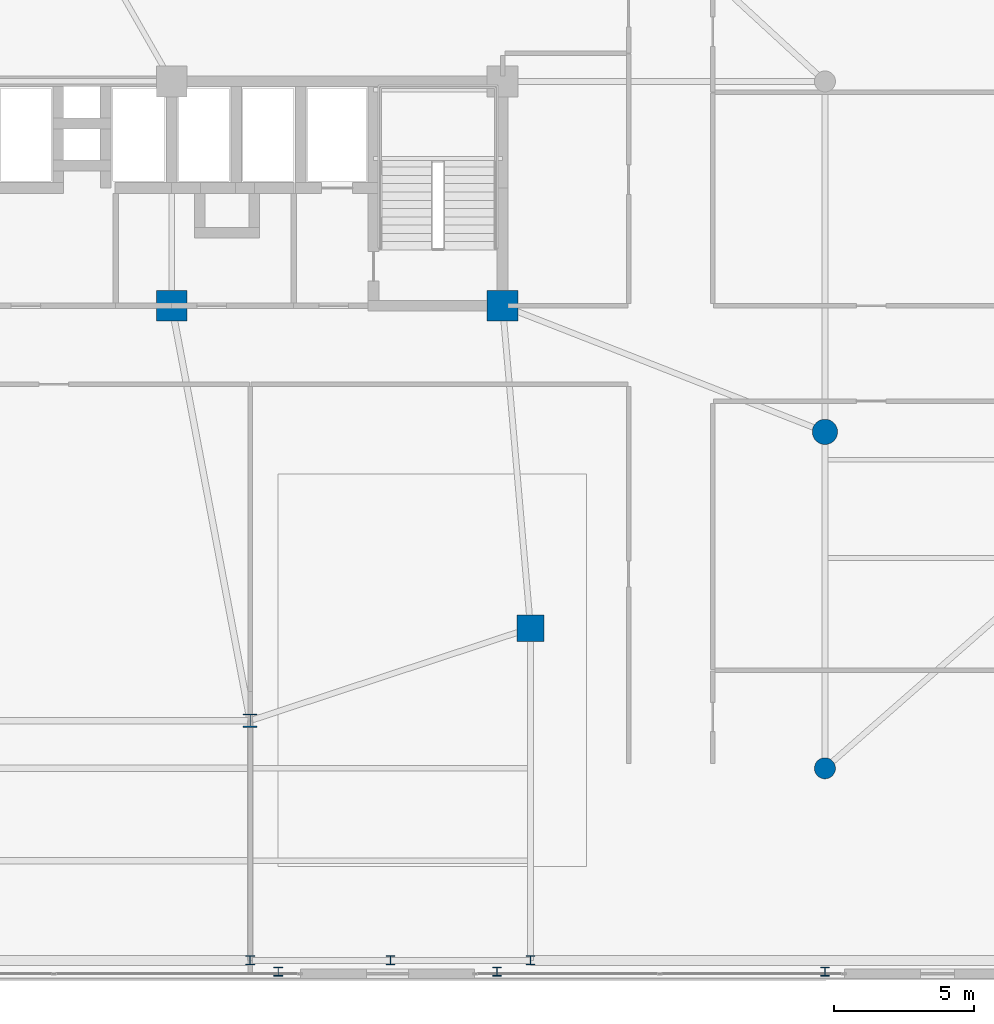
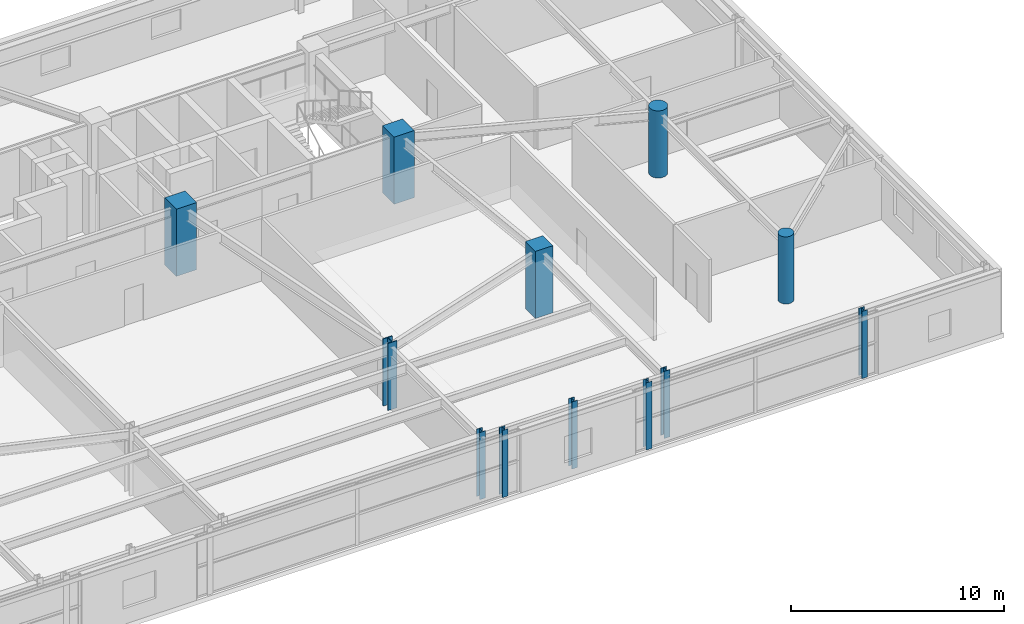
# One storey, part 3 of 26: 12 columns.
"""IFC4 building model written with IfcOpenShell, lengths in metres."""

import ifcopenshell
import ifcopenshell.guid

model = None  # the IFC model being written
_history = None  # IfcOwnerHistory: only IFC2X3 demands one
_inside = {}  # id of a spatial element -> (the spatial element, [elements in it])
_under = {}  # id of a project, library or spatial element -> (it, [spatial elements below it])
_declared = {}  # id of a project -> (the project, [libraries it declares])
_typed = {}  # id of a type object -> (the type object, [elements of that type])
_made_of = {}  # id of a material, layer set ... -> (it, [elements and type objects made of it])


def new_model(schema):
    """Start an empty IFC model of exactly this schema.

    Asked for "IFC4X3", IfcOpenShell would pick the latest addendum, in which some entities
    have other attributes; the version numbers below select the first issue.
    IFC2X3 requires an IfcOwnerHistory on every rooted entity: one is made here for all.
    """
    global model, _history
    if schema == "IFC4X3":
        model = ifcopenshell.file(schema_version=(4, 3, 0, 0))
    else:
        model = ifcopenshell.file(schema=schema)
    _inside.clear()
    _under.clear()
    _declared.clear()
    _typed.clear()
    _made_of.clear()
    _history = None
    if model.schema == "IFC2X3":
        org = make("IfcOrganization", Name="unknown")
        user = make(
            "IfcPersonAndOrganization",
            ThePerson=make("IfcPerson", FamilyName="unknown"),
            TheOrganization=org,
        )
        app = make(
            "IfcApplication",
            ApplicationDeveloper=org,
            Version="unknown",
            ApplicationFullName="unknown",
            ApplicationIdentifier="unknown",
        )
        _history = make(
            "IfcOwnerHistory",
            OwningUser=user,
            OwningApplication=app,
            ChangeAction="ADDED",
            CreationDate=0,
        )
    return model


def make(cls, **values):
    """One entity of the class cls with the attributes given. An attribute that is None is left unset."""
    return model.create_entity(
        cls, **{name: value for name, value in values.items() if value is not None}
    )


def rooted(cls, **values):
    """An entity with a GlobalId (a new one), such as an element, a storey or a relation."""
    return make(cls, GlobalId=ifcopenshell.guid.new(), OwnerHistory=_history, **values)


def si_unit(unit_type, name, prefix=None):
    """IfcSIUnit, for example si_unit("LENGTHUNIT", "METRE", prefix="MILLI")."""
    return make("IfcSIUnit", UnitType=unit_type, Prefix=prefix, Name=name)


def assignment(units):
    """IfcUnitAssignment: the units of a project."""
    return None if units is None else make("IfcUnitAssignment", Units=units)


def point(xyz):
    """IfcCartesianPoint."""
    return None if xyz is None else make("IfcCartesianPoint", Coordinates=xyz)


def direction(xyz):
    """IfcDirection."""
    return None if xyz is None else make("IfcDirection", DirectionRatios=xyz)


def frame(location, z_axis=None, x_axis=None):
    """IfcAxis2Placement3D, a coordinate frame: its origin and axes. An axis left out is left unset."""
    return make(
        "IfcAxis2Placement3D",
        Location=point(location),
        Axis=direction(z_axis),
        RefDirection=direction(x_axis),
    )


def frame_2d(location, x_axis=None):
    """IfcAxis2Placement2D, a coordinate frame in the plane: its origin and x axis."""
    return make(
        "IfcAxis2Placement2D", Location=point(location), RefDirection=direction(x_axis)
    )


def origin():
    """The frame at (0, 0, 0) with its axes left unset."""
    return frame((0.0, 0.0, 0.0))


def origin_2d():
    """The frame at (0, 0) in the plane with its x axis left unset."""
    return frame_2d((0.0, 0.0))


def place(relative_to, where):
    """IfcLocalPlacement: puts the frame where relative to a parent placement (None: the world)."""
    return make(
        "IfcLocalPlacement", PlacementRelTo=relative_to, RelativePlacement=where
    )


def context(
    kind, dimensions, precision=None, world=None, true_north=None, identifier=None
):
    """IfcGeometricRepresentationContext, for example the 3D "Model" context."""
    return make(
        "IfcGeometricRepresentationContext",
        ContextIdentifier=identifier,
        ContextType=kind,
        CoordinateSpaceDimension=dimensions,
        Precision=precision,
        WorldCoordinateSystem=world,
        TrueNorth=true_north,
    )


def subcontext(parent, identifier, kind, view, scale=None):
    """IfcGeometricRepresentationSubContext, for example "Body" below "Model"."""
    return make(
        "IfcGeometricRepresentationSubContext",
        ContextIdentifier=identifier,
        ContextType=kind,
        ParentContext=parent,
        TargetScale=scale,
        TargetView=view,
    )


def project(units=None, contexts=None):
    """IfcProject with its units and contexts."""
    return rooted(
        "IfcProject",
        Name="project",
        RepresentationContexts=contexts,
        UnitsInContext=assignment(units),
    )


def spatial(cls, under=None, at=None, **own):
    """A site, building, storey or space (cls), placed at a placement, below another one or the project."""
    s = rooted(cls, ObjectPlacement=at, **own)
    if under is not None:
        _under.setdefault(under.id(), (under, []))[1].append(s)
    return s


def profile(cls, at=None, kind="AREA", **sizes):
    """A parametric profile (cls). Its sizes go by their IFC names, for example OverallWidth=200.0."""
    return make(cls, ProfileType=kind, Position=at, **sizes)


def rectangle(**sizes):
    """IfcRectangleProfileDef."""
    return profile("IfcRectangleProfileDef", **sizes)


def circle(**sizes):
    """IfcCircleProfileDef."""
    return profile("IfcCircleProfileDef", **sizes)


def i_section(**sizes):
    """IfcIShapeProfileDef."""
    return profile("IfcIShapeProfileDef", **sizes)


def extrude(swept, where, along, depth):
    """IfcExtrudedAreaSolid: the profile swept, set in the frame where, extruded along a direction by depth."""
    return make(
        "IfcExtrudedAreaSolid",
        SweptArea=swept,
        Position=where,
        ExtrudedDirection=direction(along),
        Depth=depth,
    )


def shape(context_of_items, identifier, shape_type, items):
    """IfcShapeRepresentation: the items that make up one representation, for example the "Body"."""
    return make(
        "IfcShapeRepresentation",
        ContextOfItems=context_of_items,
        RepresentationIdentifier=identifier,
        RepresentationType=shape_type,
        Items=items,
    )


def source(mapping_origin, context_of_items, identifier, shape_type, items):
    """IfcRepresentationMap: a shape defined once, which mapped items show again and again."""
    return make(
        "IfcRepresentationMap",
        MappingOrigin=mapping_origin,
        MappedRepresentation=shape(context_of_items, identifier, shape_type, items),
    )


def transform(
    local_origin,
    x_axis=None,
    y_axis=None,
    z_axis=None,
    scale=None,
    scale2=None,
    scale3=None,
    uniform=True,
):
    """IfcCartesianTransformationOperator3D, or its non-uniform kind. x_axis, y_axis, z_axis: its Axis1, 2, 3."""
    if uniform:
        return make(
            "IfcCartesianTransformationOperator3D",
            Axis1=direction(x_axis),
            Axis2=direction(y_axis),
            LocalOrigin=point(local_origin),
            Scale=scale,
            Axis3=direction(z_axis),
        )
    return make(
        "IfcCartesianTransformationOperator3DnonUniform",
        Axis1=direction(x_axis),
        Axis2=direction(y_axis),
        LocalOrigin=point(local_origin),
        Scale=scale,
        Axis3=direction(z_axis),
        Scale2=scale2,
        Scale3=scale3,
    )


def mapped(mapping_source, mapping_target):
    """IfcMappedItem: shows the shape of a source again, moved by a transform."""
    return make(
        "IfcMappedItem", MappingSource=mapping_source, MappingTarget=mapping_target
    )


def material(Name=None, Category=None):
    """IfcMaterial."""
    return make("IfcMaterial", Name=Name, Category=Category)


def material_profile(
    of_material, cross_section, Name=None, Category=None, Priority=None
):
    """IfcMaterialProfile: a cross section and its material."""
    return make(
        "IfcMaterialProfile",
        Name=Name,
        Material=of_material,
        Profile=cross_section,
        Priority=Priority,
        Category=Category,
    )


def profile_set(profiles, Name=None, composite=None):
    """IfcMaterialProfileSet."""
    return make(
        "IfcMaterialProfileSet",
        Name=Name,
        MaterialProfiles=profiles,
        CompositeProfile=composite,
    )


def made_of(thing, what):
    """Note that an element or type object is made of a material, layer set ...; save() writes the relation."""
    if what is not None:
        _made_of.setdefault(what.id(), (what, []))[1].append(thing)
    return thing


def type_object(cls, material=None, **own):
    """A type object (cls), such as IfcWallType, which elements share."""
    return made_of(rooted(cls, **own), material)


def element(
    cls,
    number,
    at=None,
    inside=None,
    cuts=None,
    type_object=None,
    material=None,
    context=None,
    identifier="Body",
    shape_type=None,
    held_by="IfcProductDefinitionShape",
    body=None,
    shapes=None,
    **own,
):
    """One element of the class cls, such as IfcWall. Its Tag is "e" and its number.

    at: its placement. inside: the storey or other place that contains it. cuts: it is an
    opening in that element (IfcRelVoidsElement). A single representation is given by context,
    identifier, shape_type and body (its items); several are given by shapes. held_by: the class
    of the entity that holds the representations. save() writes the other relations.
    """
    e = rooted(cls, Tag="e%d" % number, ObjectPlacement=at, **own)
    if body is not None:
        shapes = [shape(context, identifier, shape_type, body)]
    if shapes is not None:
        e.Representation = make(held_by, Representations=shapes)
    if inside is not None:
        _inside.setdefault(inside.id(), (inside, []))[1].append(e)
    if cuts is not None:
        rooted(
            "IfcRelVoidsElement", RelatingBuildingElement=cuts, RelatedOpeningElement=e
        )
    if type_object is not None:
        _typed.setdefault(type_object.id(), (type_object, []))[1].append(e)
    return made_of(e, material)


def aggregate(whole, parts):
    """IfcRelAggregates: a whole, such as a stair, and the parts it consists of."""
    return rooted("IfcRelAggregates", RelatingObject=whole, RelatedObjects=parts)


def save(model, path):
    """Write the relations noted so far, then the file.

    IfcRelAggregates (storeys below a building ...), IfcRelContainedInSpatialStructure (elements
    in a storey), IfcRelDefinesByType, IfcRelAssociatesMaterial and IfcRelDeclares: one each for
    every whole, place, type object, material and project.
    """
    for whole, parts in _under.values():
        aggregate(whole, parts)
    for where, things in _inside.values():
        rooted(
            "IfcRelContainedInSpatialStructure",
            RelatedElements=things,
            RelatingStructure=where,
        )
    for kind, things in _typed.values():
        rooted("IfcRelDefinesByType", RelatedObjects=things, RelatingType=kind)
    for what, things in _made_of.values():
        rooted("IfcRelAssociatesMaterial", RelatedObjects=things, RelatingMaterial=what)
    for by, libraries in _declared.values():
        rooted("IfcRelDeclares", RelatingContext=by, RelatedDefinitions=libraries)
    model.write(path)


model = new_model("IFC4")

# Units and contexts
model_context = context("Model", 3, precision=1e-05, world=origin(), true_north=direction((0.0, 1.0)))
body_context = subcontext(model_context, "Body", "Model", "MODEL_VIEW")
ifc_project = project(units=[si_unit("LENGTHUNIT", "METRE"), si_unit("AREAUNIT", "SQUARE_METRE"), si_unit("VOLUMEUNIT", "CUBIC_METRE"), si_unit("PLANEANGLEUNIT", "RADIAN"), si_unit("MASSUNIT", "GRAM", prefix="KILO")], contexts=[model_context])

# Site, building, storey
site_placement = place(None, origin())
site = spatial("IfcSite", under=ifc_project, at=site_placement, CompositionType="ELEMENT")
building_placement = place(site_placement, origin())
building = spatial("IfcBuilding", under=site, at=building_placement, Name="Taldren Reach Tower", CompositionType="ELEMENT")
storey_placement = place(building_placement, frame((0.0, 0.0, 4.550048828125)))
storey = spatial("IfcBuildingStorey", under=building, at=storey_placement, Name="L01", CompositionType="ELEMENT", Elevation=4.550048828125)

# Columns
ifc_material_1 = material(Name="Concrete S100 (100 MPa)", Category="concrete")
ifc_material_profile_1 = material_profile(ifc_material_1, rectangle(XDim=1.10009765625, YDim=1.10009765625, at=origin_2d()), Name="RC-1100x1100")
ifc_profile_set_1 = profile_set([ifc_material_profile_1], Name="Concrete S100 (100 MPa)")
column_type_1 = type_object("IfcColumnType", Name="COL-RC1100", PredefinedType="COLUMN", material=ifc_profile_set_1)
shared_shape_1 = source(origin(), body_context, "Body", "SweptSolid", [
    extrude(rectangle(XDim=1.10009765625, YDim=1.10009765625, at=origin_2d()), origin(), (0.0, 0.0, 1.0), 3.849853515625),
])
for number, where, z_axis, x_axis, name in (
    (1, (39.199951171875, 24.0, 0.0), (0.0, 0.0, 1.0), (1.0, 0.0, 0.0), "Mega column MC-C3 L01"),
    (2, (51.0, 24.0, 0.0), (0.0, 0.0, 1.0), (1.0, 0.0, 0.0), "Mega column MC-C4 L01"),
):
    element("IfcColumn", number, at=place(storey_placement, frame(where, z_axis=z_axis, x_axis=x_axis)), inside=storey, type_object=column_type_1, Name=name, PredefinedType="COLUMN", context=body_context, shape_type="MappedRepresentation", body=[
        mapped(shared_shape_1, transform((0.0, 0.0, 0.0), scale=1.0)),
    ])
ifc_material_2 = material(Name="Steel Gr 350 (350PLUS)", Category="steel")
ifc_material_profile_2 = material_profile(ifc_material_2, i_section(OverallWidth=0.5, OverallDepth=0.47998046875, WebThickness=0.028076171875, FlangeThickness=0.0439453125, at=origin_2d()), Name="500WC440")
ifc_profile_set_2 = profile_set([ifc_material_profile_2], Name="Steel Gr 350 (350PLUS)")
column_type_2 = type_object("IfcColumnType", Name="COL-WC500A", PredefinedType="COLUMN", material=ifc_profile_set_2)
shared_shape_2 = source(origin(), body_context, "Body", "SweptSolid", [
    extrude(i_section(OverallWidth=0.5, OverallDepth=0.47998046875, WebThickness=0.028076171875, FlangeThickness=0.0439453125, at=origin_2d()), origin(), (0.0, 0.0, 1.0), 3.849853515625),
])
column_1_placement = place(storey_placement, frame((42.0, 9.199951171875, 0.0), z_axis=(0.0, 0.0, 1.0), x_axis=(1.0, 0.0, 0.0)))
element("IfcColumn", 3, at=column_1_placement, inside=storey, type_object=column_type_2, Name="Mega column MC-PJE L01", PredefinedType="COLUMN", context=body_context, shape_type="MappedRepresentation", body=[
    mapped(shared_shape_2, transform((0.0, 0.0, 0.0), scale=1.0)),
])
ifc_material_3 = material(Name="Concrete S80 (80 MPa)", Category="concrete")
ifc_material_profile_3 = material_profile(ifc_material_3, rectangle(XDim=0.949951171875, YDim=0.949951171875, at=origin_2d()), Name="RC-950x950")
ifc_profile_set_3 = profile_set([ifc_material_profile_3], Name="Concrete S80 (80 MPa)")
column_type_3 = type_object("IfcColumnType", Name="COL-RC950", PredefinedType="COLUMN", material=ifc_profile_set_3)
shared_shape_3 = source(origin(), body_context, "Body", "SweptSolid", [
    extrude(rectangle(XDim=0.949951171875, YDim=0.949951171875, at=origin_2d()), origin(), (0.0, 0.0, 1.0), 3.849853515625),
])
column_2_placement = place(storey_placement, frame((52.0, 12.5, 0.0), z_axis=(0.0, 0.0, 1.0), x_axis=(1.0, 0.0, 0.0)))
element("IfcColumn", 4, at=column_2_placement, inside=storey, type_object=column_type_3, Name="Mega column MC-SE L01", PredefinedType="COLUMN", context=body_context, shape_type="MappedRepresentation", body=[
    mapped(shared_shape_3, transform((0.0, 0.0, 0.0), scale=1.0)),
])
ifc_material_profile_4 = material_profile(ifc_material_3, circle(Radius=0.449951171875, at=origin_2d()), Name="RC-900D")
ifc_profile_set_4 = profile_set([ifc_material_profile_4], Name="Concrete S80 (80 MPa)")
column_type_4 = type_object("IfcColumnType", Name="COL-RCD900", PredefinedType="COLUMN", material=ifc_profile_set_4)
shared_shape_4 = source(origin(), body_context, "Body", "SweptSolid", [
    extrude(circle(Radius=0.449951171875, at=origin_2d()), origin(), (0.0, 0.0, 1.0), 3.849853515625),
])
column_3_placement = place(storey_placement, frame((62.5, 19.5, 0.0), z_axis=(0.0, 0.0, 1.0), x_axis=(1.0, 0.0, 0.0)))
element("IfcColumn", 5, at=column_3_placement, inside=storey, type_object=column_type_4, Name="Podium structural column PG-5 L01", PredefinedType="COLUMN", context=body_context, shape_type="MappedRepresentation", body=[
    mapped(shared_shape_4, transform((0.0, 0.0, 0.0), scale=1.0)),
])
ifc_material_4 = material(Name="Concrete S65 (65 MPa)", Category="concrete")
ifc_material_profile_5 = material_profile(ifc_material_4, circle(Radius=0.375, at=origin_2d()), Name="RC-750D")
ifc_profile_set_5 = profile_set([ifc_material_profile_5], Name="Concrete S65 (65 MPa)")
column_type_5 = type_object("IfcColumnType", Name="COL-RCD750", PredefinedType="COLUMN", material=ifc_profile_set_5)
shared_shape_5 = source(origin(), body_context, "Body", "SweptSolid", [
    extrude(circle(Radius=0.375, at=origin_2d()), origin(), (0.0, 0.0, 1.0), 3.849853515625),
])
column_4_placement = place(storey_placement, frame((62.5, 7.5, 0.0), z_axis=(0.0, 0.0, 1.0), x_axis=(1.0, 0.0, 0.0)))
element("IfcColumn", 6, at=column_4_placement, inside=storey, type_object=column_type_5, Name="Podium structural column PG-4 L01", PredefinedType="COLUMN", context=body_context, shape_type="MappedRepresentation", body=[
    mapped(shared_shape_5, transform((0.0, 0.0, 0.0), scale=1.0)),
])
ifc_material_profile_6 = material_profile(ifc_material_2, i_section(OverallWidth=0.31103515625, OverallDepth=0.326904296875, WebThickness=0.015625, FlangeThickness=0.02490234375, at=origin_2d()), Name="310UC158")
ifc_profile_set_6 = profile_set([ifc_material_profile_6], Name="Steel Gr 350 (350PLUS)")
column_type_6 = type_object("IfcColumnType", Name="COL-UC310A", PredefinedType="COLUMN", material=ifc_profile_set_6)
shared_shape_6 = source(origin(), body_context, "Body", "SweptSolid", [
    extrude(i_section(OverallWidth=0.31103515625, OverallDepth=0.326904296875, WebThickness=0.015625, FlangeThickness=0.02490234375, at=origin_2d()), origin(), (0.0, 0.0, 1.0), 3.849853515625),
])
for number, where, z_axis, x_axis, name in (
    (7, (42.0, 0.64990234375, 0.0), (0.0, 0.0, 1.0), (1.0, 0.0, 0.0), "Podium structural column PG-8 L01"),
    (8, (47.0, 0.64990234375, 0.0), (0.0, 0.0, 1.0), (1.0, 0.0, 0.0), "Podium structural column PP-S3 L01"),
    (9, (52.0, 0.64990234375, 0.0), (0.0, 0.0, 1.0), (1.0, 0.0, 0.0), "Podium structural column PP-S4 L01"),
):
    element("IfcColumn", number, at=place(storey_placement, frame(where, z_axis=z_axis, x_axis=x_axis)), inside=storey, type_object=column_type_6, Name=name, PredefinedType="COLUMN", context=body_context, shape_type="MappedRepresentation", body=[
        mapped(shared_shape_6, transform((0.0, 0.0, 0.0), scale=1.0)),
    ])
ifc_material_profile_7 = material_profile(ifc_material_2, i_section(OverallWidth=0.306884765625, OverallDepth=0.31494140625, WebThickness=0.011962890625, FlangeThickness=0.018798828125, at=origin_2d()), Name="310UC118")
ifc_profile_set_7 = profile_set([ifc_material_profile_7], Name="Steel Gr 350 (350PLUS)")
column_type_7 = type_object("IfcColumnType", Name="PIL-UC310", PredefinedType="PILASTER", material=ifc_profile_set_7)
shared_shape_7 = source(origin(), body_context, "Body", "SweptSolid", [
    extrude(i_section(OverallWidth=0.306884765625, OverallDepth=0.31494140625, WebThickness=0.011962890625, FlangeThickness=0.018798828125, at=origin_2d()), origin(), (0.0, 0.0, 1.0), 3.849853515625),
])
for number, where, z_axis, x_axis, name in (
    (10, (43.0, 0.25, 0.0), (0.0, 0.0, 1.0), (1.0, 0.0, 0.0), "Waterfront colonnade pilaster S-43.0 L01"),
    (11, (50.800048828125, 0.25, 0.0), (0.0, 0.0, 1.0), (1.0, 0.0, 0.0), "Waterfront colonnade pilaster S-50.8 L01"),
    (12, (62.5, 0.25, 0.0), (0.0, 0.0, 1.0), (1.0, 0.0, 0.0), "Waterfront colonnade pilaster S-62.5 L01"),
):
    element("IfcColumn", number, at=place(storey_placement, frame(where, z_axis=z_axis, x_axis=x_axis)), inside=storey, type_object=column_type_7, Name=name, PredefinedType="PILASTER", context=body_context, shape_type="MappedRepresentation", body=[
        mapped(shared_shape_7, transform((0.0, 0.0, 0.0), scale=1.0)),
    ])

save(model, "model.ifc")
